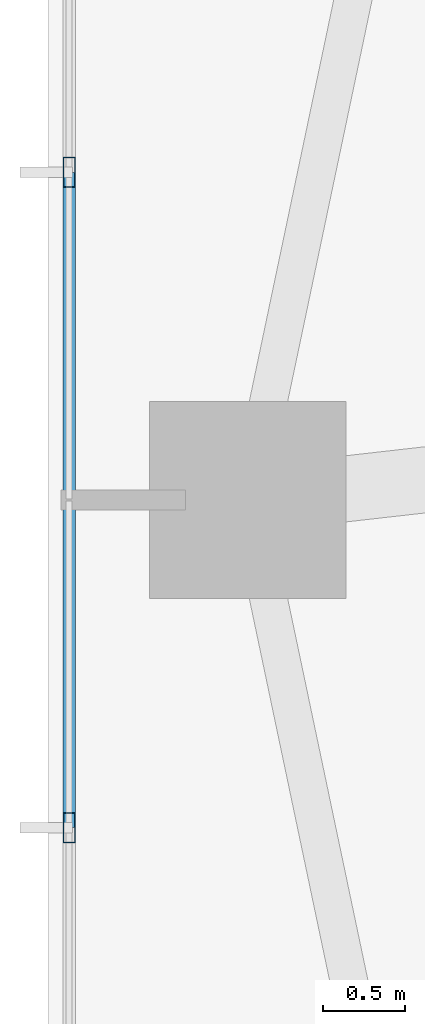
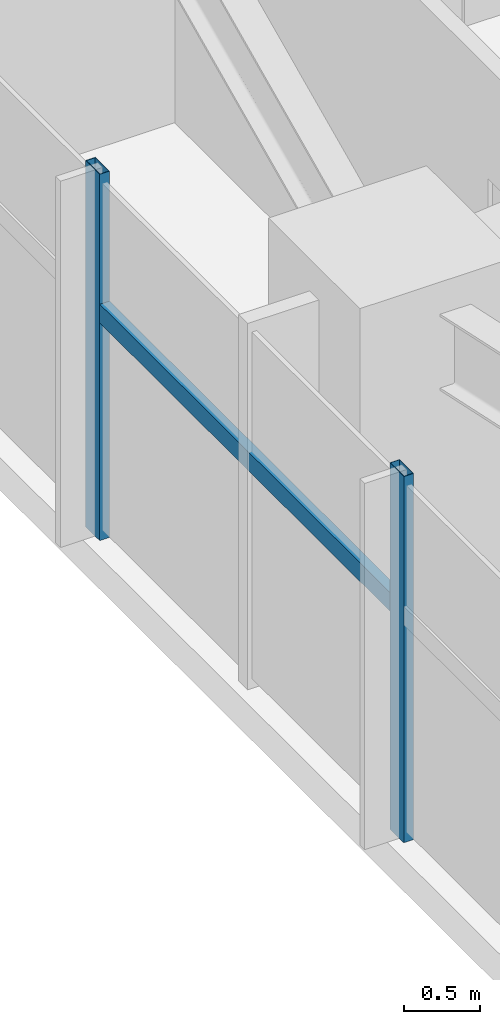
# One storey, part 4 of 25: 3 members, 1 element without a shape of its own.
"""IFC4 building model written with IfcOpenShell, lengths in metres."""

from ifc_helpers import new_model, si_unit, direction, frame, origin, origin_2d, place, context, subcontext, project, spatial, hollow_rectangle, extrude, source, transform, mapped, material, material_profile, profile_set, type_object, type_shapes, element, aggregate, save


model = new_model("IFC4")

# Units and contexts
model_context = context("Model", 3, precision=1e-05, world=origin(), true_north=direction((0.0, 1.0)))
body_context = subcontext(model_context, "Body", "Model", "MODEL_VIEW")
ifc_project = project(units=[si_unit("LENGTHUNIT", "METRE"), si_unit("AREAUNIT", "SQUARE_METRE"), si_unit("VOLUMEUNIT", "CUBIC_METRE"), si_unit("PLANEANGLEUNIT", "RADIAN"), si_unit("MASSUNIT", "GRAM", prefix="KILO")], contexts=[model_context])

# Site, building, storey
site_placement = place(None, origin())
site = spatial("IfcSite", under=ifc_project, at=site_placement, CompositionType="ELEMENT")
building_placement = place(site_placement, origin())
building = spatial("IfcBuilding", under=site, at=building_placement, Name="Astriad Promenade Condominiums", CompositionType="ELEMENT")
storey_placement = place(building_placement, frame((0.0, 0.0, 45.39990234375)))
storey = spatial("IfcBuildingStorey", under=building, at=storey_placement, Name="L12", CompositionType="ELEMENT", Elevation=45.39990234375)

# Curtain wall, members
ifc_material_1 = material(Name="Anodised aluminium Black Dark Glass Unitised", Category="aluminium")
curtain_wall_type = type_object("IfcCurtainWallType", Name="CW-B1-DARK", PredefinedType="USERDEFINED", material=ifc_material_1)
curtain_wall_placement = place(storey_placement, origin())
curtain_wall = element("IfcCurtainWall", 1, at=curtain_wall_placement, inside=storey, type_object=curtain_wall_type, Name="CW-L12-W", ObjectType="UNITISED_CURTAIN_WALL", PredefinedType="USERDEFINED")
ifc_material_2 = material(Name="Anodised aluminium 6063-T6 Black", Category="aluminium")
ifc_material_profile_1 = material_profile(ifc_material_2, hollow_rectangle(XDim=0.074951171875, YDim=0.14990234375, WallThickness=0.004150390625, at=origin_2d()), Name="ALU-TRN-75X150")
ifc_profile_set_1 = profile_set([ifc_material_profile_1], Name="Anodised aluminium 6063-T6 Black")
member_type_1 = type_object("IfcMemberType", Name="TRN-ALU-TRN-75X150", PredefinedType="USERDEFINED", material=ifc_profile_set_1)
shared_shape_1 = source(origin(), body_context, "Body", "SweptSolid", [
    extrude(hollow_rectangle(XDim=0.074951171875, YDim=0.14990234375, WallThickness=0.004150390625, at=origin_2d()), origin(), (0.0, 0.0, 1.0), 4.0),
])
type_shapes(member_type_1, [shared_shape_1])
member_1_placement = place(storey_placement, frame((5.929931640625, 13.199951171875, 1.822998046875), z_axis=(0.0, 1.0, 0.0), x_axis=(-1.0, 0.0, 0.0)))
member_1 = element("IfcMember", 2, at=member_1_placement, type_object=member_type_1, Name="CW-L12-W-TRN-02-0", ObjectType="TRANSOM", PredefinedType="USERDEFINED", context=body_context, shape_type="MappedRepresentation", body=[
    mapped(shared_shape_1, transform((0.0, 0.0, 0.0), scale=1.0)),
])
ifc_material_profile_2 = material_profile(ifc_material_2, hollow_rectangle(XDim=0.074951171875, YDim=0.18505859375, WallThickness=0.00439453125, at=origin_2d()), Name="ALU-MUL-75X185")
ifc_profile_set_2 = profile_set([ifc_material_profile_2], Name="Anodised aluminium 6063-T6 Black")
member_type_2 = type_object("IfcMemberType", Name="MUL-ALU-MUL-75X185", PredefinedType="MULLION", material=ifc_profile_set_2)
shared_shape_2 = source(origin(), body_context, "Body", "SweptSolid", [
    extrude(hollow_rectangle(XDim=0.074951171875, YDim=0.18505859375, WallThickness=0.00439453125, at=origin_2d()), origin(), (0.0, 0.0, 1.0), 2.940185546875),
])
type_shapes(member_type_2, [shared_shape_2])
member_2_placement = place(storey_placement, frame((5.929931640625, 13.199951171875, 0.0), z_axis=(0.0, 0.0, 1.0), x_axis=(1.0, 0.0, 0.0)))
member_2 = element("IfcMember", 3, at=member_2_placement, type_object=member_type_2, Name="CW-L12-W-MUL-02", PredefinedType="MULLION", context=body_context, shape_type="MappedRepresentation", body=[
    mapped(shared_shape_2, transform((0.0, 0.0, 0.0), scale=1.0)),
])
member_3_placement = place(storey_placement, frame((5.929931640625, 17.199951171875, 0.0), z_axis=(0.0, 0.0, 1.0), x_axis=(1.0, 0.0, 0.0)))
member_3 = element("IfcMember", 4, at=member_3_placement, type_object=member_type_2, Name="CW-L12-W-MUL-03", PredefinedType="MULLION", context=body_context, shape_type="MappedRepresentation", body=[
    mapped(shared_shape_2, transform((0.0, 0.0, 0.0), scale=1.0)),
])
aggregate(curtain_wall, [member_2, member_3, member_1])

save(model, "model.ifc")
